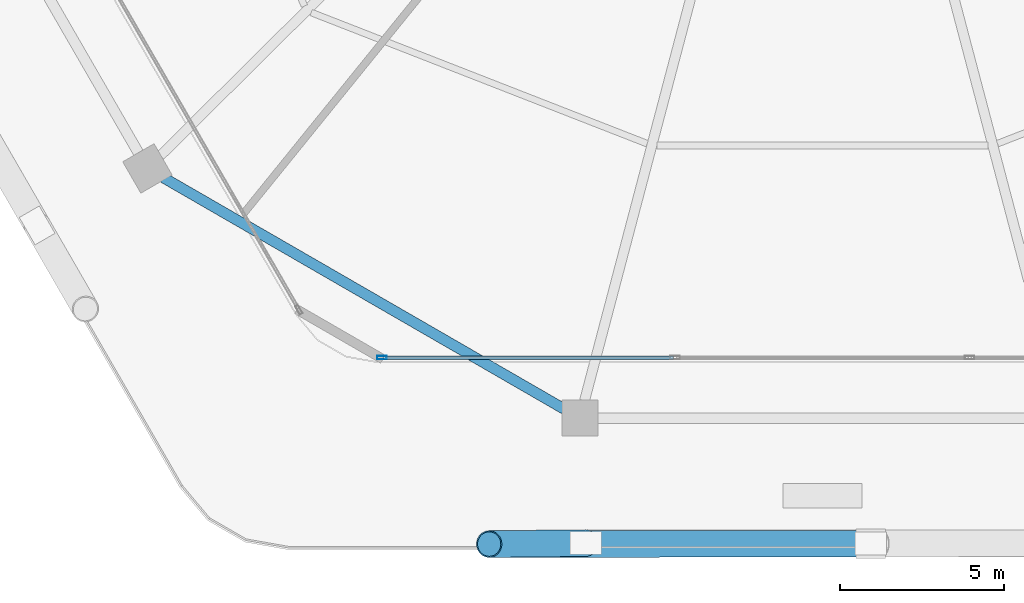
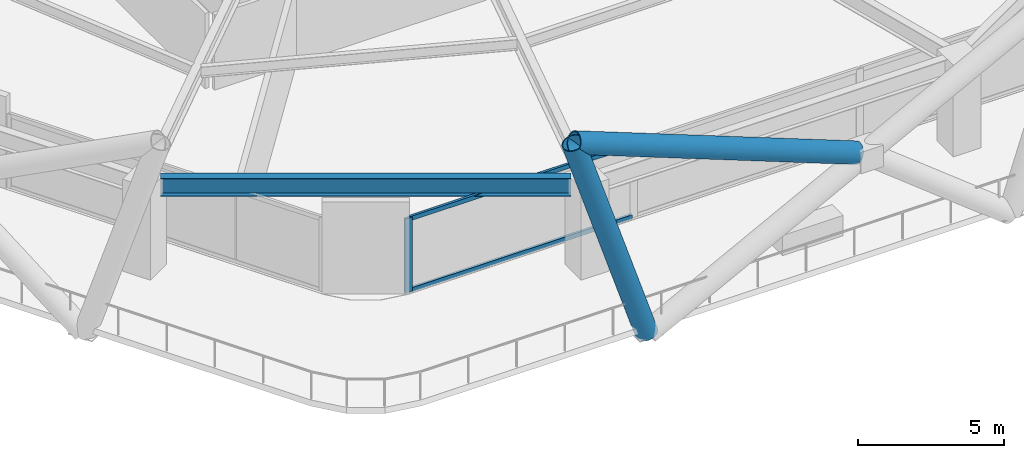
# One storey, part 3 of 28: 5 members, 1 beam, 1 element without a shape of its own.
"""IFC4 building model written with IfcOpenShell, lengths in metres."""

import ifcopenshell
import ifcopenshell.guid

model = None  # the IFC model being written
_history = None  # IfcOwnerHistory: only IFC2X3 demands one
_inside = {}  # id of a spatial element -> (the spatial element, [elements in it])
_under = {}  # id of a project, library or spatial element -> (it, [spatial elements below it])
_declared = {}  # id of a project -> (the project, [libraries it declares])
_typed = {}  # id of a type object -> (the type object, [elements of that type])
_made_of = {}  # id of a material, layer set ... -> (it, [elements and type objects made of it])


def new_model(schema):
    """Start an empty IFC model of exactly this schema.

    Asked for "IFC4X3", IfcOpenShell would pick the latest addendum, in which some entities
    have other attributes; the version numbers below select the first issue.
    IFC2X3 requires an IfcOwnerHistory on every rooted entity: one is made here for all.
    """
    global model, _history
    if schema == "IFC4X3":
        model = ifcopenshell.file(schema_version=(4, 3, 0, 0))
    else:
        model = ifcopenshell.file(schema=schema)
    _inside.clear()
    _under.clear()
    _declared.clear()
    _typed.clear()
    _made_of.clear()
    _history = None
    if model.schema == "IFC2X3":
        org = make("IfcOrganization", Name="unknown")
        user = make(
            "IfcPersonAndOrganization",
            ThePerson=make("IfcPerson", FamilyName="unknown"),
            TheOrganization=org,
        )
        app = make(
            "IfcApplication",
            ApplicationDeveloper=org,
            Version="unknown",
            ApplicationFullName="unknown",
            ApplicationIdentifier="unknown",
        )
        _history = make(
            "IfcOwnerHistory",
            OwningUser=user,
            OwningApplication=app,
            ChangeAction="ADDED",
            CreationDate=0,
        )
    return model


def make(cls, **values):
    """One entity of the class cls with the attributes given. An attribute that is None is left unset."""
    return model.create_entity(
        cls, **{name: value for name, value in values.items() if value is not None}
    )


def rooted(cls, **values):
    """An entity with a GlobalId (a new one), such as an element, a storey or a relation."""
    return make(cls, GlobalId=ifcopenshell.guid.new(), OwnerHistory=_history, **values)


def si_unit(unit_type, name, prefix=None):
    """IfcSIUnit, for example si_unit("LENGTHUNIT", "METRE", prefix="MILLI")."""
    return make("IfcSIUnit", UnitType=unit_type, Prefix=prefix, Name=name)


def assignment(units):
    """IfcUnitAssignment: the units of a project."""
    return None if units is None else make("IfcUnitAssignment", Units=units)


def point(xyz):
    """IfcCartesianPoint."""
    return None if xyz is None else make("IfcCartesianPoint", Coordinates=xyz)


def direction(xyz):
    """IfcDirection."""
    return None if xyz is None else make("IfcDirection", DirectionRatios=xyz)


def frame(location, z_axis=None, x_axis=None):
    """IfcAxis2Placement3D, a coordinate frame: its origin and axes. An axis left out is left unset."""
    return make(
        "IfcAxis2Placement3D",
        Location=point(location),
        Axis=direction(z_axis),
        RefDirection=direction(x_axis),
    )


def frame_2d(location, x_axis=None):
    """IfcAxis2Placement2D, a coordinate frame in the plane: its origin and x axis."""
    return make(
        "IfcAxis2Placement2D", Location=point(location), RefDirection=direction(x_axis)
    )


def origin():
    """The frame at (0, 0, 0) with its axes left unset."""
    return frame((0.0, 0.0, 0.0))


def origin_2d():
    """The frame at (0, 0) in the plane with its x axis left unset."""
    return frame_2d((0.0, 0.0))


def place(relative_to, where):
    """IfcLocalPlacement: puts the frame where relative to a parent placement (None: the world)."""
    return make(
        "IfcLocalPlacement", PlacementRelTo=relative_to, RelativePlacement=where
    )


def context(
    kind, dimensions, precision=None, world=None, true_north=None, identifier=None
):
    """IfcGeometricRepresentationContext, for example the 3D "Model" context."""
    return make(
        "IfcGeometricRepresentationContext",
        ContextIdentifier=identifier,
        ContextType=kind,
        CoordinateSpaceDimension=dimensions,
        Precision=precision,
        WorldCoordinateSystem=world,
        TrueNorth=true_north,
    )


def subcontext(parent, identifier, kind, view, scale=None):
    """IfcGeometricRepresentationSubContext, for example "Body" below "Model"."""
    return make(
        "IfcGeometricRepresentationSubContext",
        ContextIdentifier=identifier,
        ContextType=kind,
        ParentContext=parent,
        TargetScale=scale,
        TargetView=view,
    )


def project(units=None, contexts=None):
    """IfcProject with its units and contexts."""
    return rooted(
        "IfcProject",
        Name="project",
        RepresentationContexts=contexts,
        UnitsInContext=assignment(units),
    )


def spatial(cls, under=None, at=None, **own):
    """A site, building, storey or space (cls), placed at a placement, below another one or the project."""
    s = rooted(cls, ObjectPlacement=at, **own)
    if under is not None:
        _under.setdefault(under.id(), (under, []))[1].append(s)
    return s


def profile(cls, at=None, kind="AREA", **sizes):
    """A parametric profile (cls). Its sizes go by their IFC names, for example OverallWidth=200.0."""
    return make(cls, ProfileType=kind, Position=at, **sizes)


def hollow_rectangle(**sizes):
    """IfcRectangleHollowProfileDef."""
    return profile("IfcRectangleHollowProfileDef", **sizes)


def hollow_circle(**sizes):
    """IfcCircleHollowProfileDef."""
    return profile("IfcCircleHollowProfileDef", **sizes)


def i_section(**sizes):
    """IfcIShapeProfileDef."""
    return profile("IfcIShapeProfileDef", **sizes)


def extrude(swept, where, along, depth):
    """IfcExtrudedAreaSolid: the profile swept, set in the frame where, extruded along a direction by depth."""
    return make(
        "IfcExtrudedAreaSolid",
        SweptArea=swept,
        Position=where,
        ExtrudedDirection=direction(along),
        Depth=depth,
    )


def shape(context_of_items, identifier, shape_type, items):
    """IfcShapeRepresentation: the items that make up one representation, for example the "Body"."""
    return make(
        "IfcShapeRepresentation",
        ContextOfItems=context_of_items,
        RepresentationIdentifier=identifier,
        RepresentationType=shape_type,
        Items=items,
    )


def material(Name=None, Category=None):
    """IfcMaterial."""
    return make("IfcMaterial", Name=Name, Category=Category)


def material_profile(
    of_material, cross_section, Name=None, Category=None, Priority=None
):
    """IfcMaterialProfile: a cross section and its material."""
    return make(
        "IfcMaterialProfile",
        Name=Name,
        Material=of_material,
        Profile=cross_section,
        Priority=Priority,
        Category=Category,
    )


def profile_set(profiles, Name=None, composite=None):
    """IfcMaterialProfileSet."""
    return make(
        "IfcMaterialProfileSet",
        Name=Name,
        MaterialProfiles=profiles,
        CompositeProfile=composite,
    )


def made_of(thing, what):
    """Note that an element or type object is made of a material, layer set ...; save() writes the relation."""
    if what is not None:
        _made_of.setdefault(what.id(), (what, []))[1].append(thing)
    return thing


def type_object(cls, material=None, **own):
    """A type object (cls), such as IfcWallType, which elements share."""
    return made_of(rooted(cls, **own), material)


def element(
    cls,
    number,
    at=None,
    inside=None,
    cuts=None,
    type_object=None,
    material=None,
    context=None,
    identifier="Body",
    shape_type=None,
    held_by="IfcProductDefinitionShape",
    body=None,
    shapes=None,
    **own,
):
    """One element of the class cls, such as IfcWall. Its Tag is "e" and its number.

    at: its placement. inside: the storey or other place that contains it. cuts: it is an
    opening in that element (IfcRelVoidsElement). A single representation is given by context,
    identifier, shape_type and body (its items); several are given by shapes. held_by: the class
    of the entity that holds the representations. save() writes the other relations.
    """
    e = rooted(cls, Tag="e%d" % number, ObjectPlacement=at, **own)
    if body is not None:
        shapes = [shape(context, identifier, shape_type, body)]
    if shapes is not None:
        e.Representation = make(held_by, Representations=shapes)
    if inside is not None:
        _inside.setdefault(inside.id(), (inside, []))[1].append(e)
    if cuts is not None:
        rooted(
            "IfcRelVoidsElement", RelatingBuildingElement=cuts, RelatedOpeningElement=e
        )
    if type_object is not None:
        _typed.setdefault(type_object.id(), (type_object, []))[1].append(e)
    return made_of(e, material)


def aggregate(whole, parts):
    """IfcRelAggregates: a whole, such as a stair, and the parts it consists of."""
    return rooted("IfcRelAggregates", RelatingObject=whole, RelatedObjects=parts)


def save(model, path):
    """Write the relations noted so far, then the file.

    IfcRelAggregates (storeys below a building ...), IfcRelContainedInSpatialStructure (elements
    in a storey), IfcRelDefinesByType, IfcRelAssociatesMaterial and IfcRelDeclares: one each for
    every whole, place, type object, material and project.
    """
    for whole, parts in _under.values():
        aggregate(whole, parts)
    for where, things in _inside.values():
        rooted(
            "IfcRelContainedInSpatialStructure",
            RelatedElements=things,
            RelatingStructure=where,
        )
    for kind, things in _typed.values():
        rooted("IfcRelDefinesByType", RelatedObjects=things, RelatingType=kind)
    for what, things in _made_of.values():
        rooted("IfcRelAssociatesMaterial", RelatedObjects=things, RelatingMaterial=what)
    for by, libraries in _declared.values():
        rooted("IfcRelDeclares", RelatingContext=by, RelatedDefinitions=libraries)
    model.write(path)


model = new_model("IFC4")

# Units and contexts
model_context = context("Model", 3, precision=1e-05, world=origin(), true_north=direction((0.0, 1.0)))
body_context = subcontext(model_context, "Body", "Model", "MODEL_VIEW")
ifc_project = project(units=[si_unit("LENGTHUNIT", "METRE"), si_unit("AREAUNIT", "SQUARE_METRE"), si_unit("VOLUMEUNIT", "CUBIC_METRE"), si_unit("PLANEANGLEUNIT", "RADIAN"), si_unit("MASSUNIT", "GRAM", prefix="KILO")], contexts=[model_context])

# Site, building, storey
site_placement = place(None, origin())
site = spatial("IfcSite", under=ifc_project, at=site_placement, CompositionType="ELEMENT")
building_placement = place(site_placement, origin())
building = spatial("IfcBuilding", under=site, at=building_placement, Name="Zuhravey Tower", CompositionType="ELEMENT")
storey_placement = place(building_placement, frame((0.0, 0.0, 83.39990234375)))
storey = spatial("IfcBuildingStorey", under=building, at=storey_placement, Name="L20", CompositionType="ELEMENT", Elevation=83.39990234375)

# Members
ifc_material_1 = material(Name="Steel SM460", Category="steel")
ifc_material_profile_1 = material_profile(ifc_material_1, hollow_circle(Radius=0.406494140625, WallThickness=0.035888671875, at=origin_2d()), Name="CHS-812.8x36")
ifc_profile_set_1 = profile_set([ifc_material_profile_1], Name="Steel SM460")
member_type_1 = type_object("IfcMemberType", Name="Exoskeleton Zone 1 Diagrid CHS813x36", PredefinedType="BRACE", material=ifc_profile_set_1)
member_1_placement = place(storey_placement, frame((28.798828125, 0.25146484375, -0.471923828125), z_axis=(-0.309849015369, -0.003151444758, 0.950780550953), x_axis=(0.010170378508, -0.999948280363, 0.0)))
element("IfcMember", 1, at=member_1_placement, inside=storey, type_object=member_type_1, Name="L20 Face 5 Diagrid Brace 1", PredefinedType="BRACE", context=body_context, shape_type="SweptSolid", body=[
    extrude(hollow_circle(Radius=0.406494140625, WallThickness=0.035888671875, at=origin_2d()), origin(), (0.0, 0.0, 1.0), 9.451171875),
])
member_2_placement = place(storey_placement, frame((37.10205078125, 0.236083984375, 4.164794921875), z_axis=(-0.931988361269, -0.00119920863, 0.362486215403), x_axis=(0.001286719542, -0.999999172176, 0.0)))
element("IfcMember", 2, at=member_2_placement, inside=storey, type_object=member_type_1, Name="L20 Face 5 Split Diagrid Brace 3B", PredefinedType="BRACE", context=body_context, shape_type="SweptSolid", body=[
    extrude(hollow_circle(Radius=0.406494140625, WallThickness=0.035888671875, at=origin_2d()), origin(), (0.0, 0.0, 1.0), 12.011474609375),
])

# Curtain wall, member
ifc_material_2 = material(Name="Thermally broken anodised aluminium", Category="aluminium")
curtain_wall_type = type_object("IfcCurtainWallType", Name="Sky-Playground Recessed Curtain Wall CW2", PredefinedType="NOTDEFINED", material=ifc_material_2)
curtain_wall_placement = place(storey_placement, origin())
curtain_wall = element("IfcCurtainWall", 3, at=curtain_wall_placement, inside=storey, type_object=curtain_wall_type, Name="L20 CW2 CW-L20-F5-1", PredefinedType="NOTDEFINED")
ifc_material_3 = material(Name="Anodised aluminium", Category="aluminium")
ifc_material_profile_2 = material_profile(ifc_material_3, hollow_rectangle(XDim=0.10009765625, YDim=0.2900390625, WallThickness=0.006103515625, at=origin_2d()), Name="ALU-RHS-100x290x6")
ifc_profile_set_2 = profile_set([ifc_material_profile_2], Name="Anodised aluminium")
member_type_2 = type_object("IfcMemberType", Name="Heavy Tall-Storey Mullion 100x220", PredefinedType="MULLION", material=ifc_profile_set_2)
member_3_placement = place(storey_placement, frame((22.607421875, 5.8916015625, 0.0), z_axis=(0.0, 0.0, 1.0), x_axis=(0.0, -1.0, 0.0)))
member_3 = element("IfcMember", 4, at=member_3_placement, type_object=member_type_2, Name="CW2 mullion 4", PredefinedType="MULLION", context=body_context, shape_type="SweptSolid", body=[
    extrude(hollow_rectangle(XDim=0.10009765625, YDim=0.2900390625, WallThickness=0.006103515625, at=origin_2d()), origin(), (0.0, 0.0, 1.0), 3.10009765625),
])

# Beam
ifc_material_4 = material(Name="Steel SM355", Category="steel")
ifc_material_profile_3 = material_profile(ifc_material_4, i_section(OverallWidth=0.320068359375, OverallDepth=0.75, WebThickness=0.013916015625, FlangeThickness=0.02490234375, at=origin_2d()), Name="H-750x320x14x25")
ifc_profile_set_3 = profile_set([ifc_material_profile_3], Name="Steel SM355")
beam_type = type_object("IfcBeamType", Name="Perimeter Ring Beam H750x320", PredefinedType="BEAM", material=ifc_profile_set_3)
beam_placement = place(storey_placement, frame((15.9599609375, 11.36669921875, 3.47509765625), z_axis=(0.866017786538, -0.500013193225, 0.0), x_axis=(0.500013193225, 0.866017786538, 0.0)))
element("IfcBeam", 5, at=beam_placement, inside=storey, type_object=beam_type, Name="L20 PB1 BM-L20-PB-08", PredefinedType="BEAM", context=body_context, shape_type="SweptSolid", body=[
    extrude(i_section(OverallWidth=0.320068359375, OverallDepth=0.75, WebThickness=0.013916015625, FlangeThickness=0.02490234375, at=origin_2d()), origin(), (0.0, 0.0, 1.0), 14.0771484375),
])

# Member
ifc_material_profile_4 = material_profile(ifc_material_3, hollow_rectangle(XDim=0.10009765625, YDim=0.179931640625, WallThickness=0.006103515625, at=origin_2d()), Name="ALU-RHS-100x180x6")
ifc_profile_set_4 = profile_set([ifc_material_profile_4], Name="Anodised aluminium")
member_type_3 = type_object("IfcMemberType", Name="Tall-Storey Transom 100x180", PredefinedType="USERDEFINED", material=ifc_profile_set_4)
member_4_placement = place(storey_placement, frame((31.468994140625, 5.8916015625, 0.050048828125), z_axis=(-1.0, 0.0, 0.0), x_axis=(0.0, -1.0, 0.0)))
member_4 = element("IfcMember", 6, at=member_4_placement, type_object=member_type_3, Name="CW2 transom 3.1", ObjectType="TRANSOM", PredefinedType="USERDEFINED", context=body_context, shape_type="SweptSolid", body=[
    extrude(hollow_rectangle(XDim=0.10009765625, YDim=0.179931640625, WallThickness=0.006103515625, at=origin_2d()), origin(), (0.0, 0.0, 1.0), 8.811767578125),
])

member_5_placement = place(storey_placement, frame((31.468994140625, 5.8916015625, 3.050048828125), z_axis=(-1.0, 0.0, 0.0), x_axis=(0.0, -1.0, 0.0)))
member_5 = element("IfcMember", 7, at=member_5_placement, type_object=member_type_3, Name="CW2 transom 3.2", ObjectType="TRANSOM", PredefinedType="USERDEFINED", context=body_context, shape_type="SweptSolid", body=[
    extrude(hollow_rectangle(XDim=0.10009765625, YDim=0.179931640625, WallThickness=0.006103515625, at=origin_2d()), origin(), (0.0, 0.0, 1.0), 8.811767578125),
])

aggregate(curtain_wall, [member_3, member_4, member_5])

save(model, "model.ifc")
